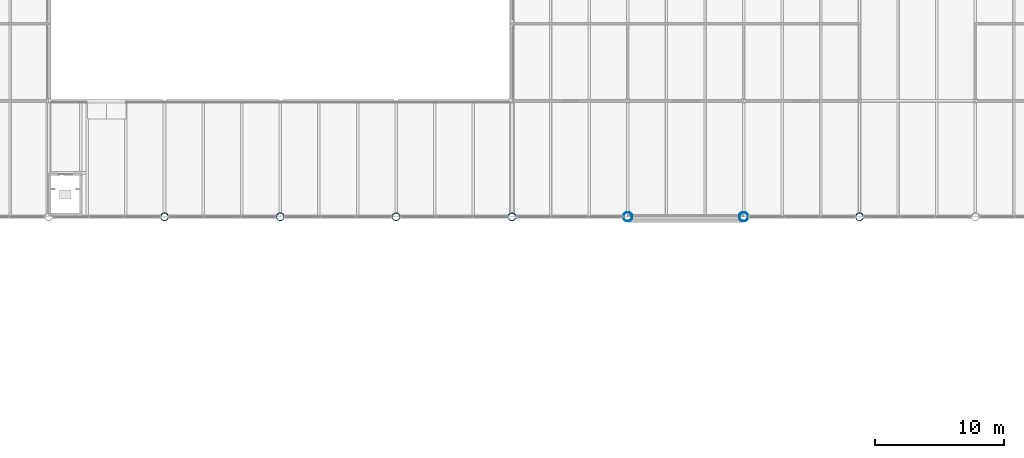
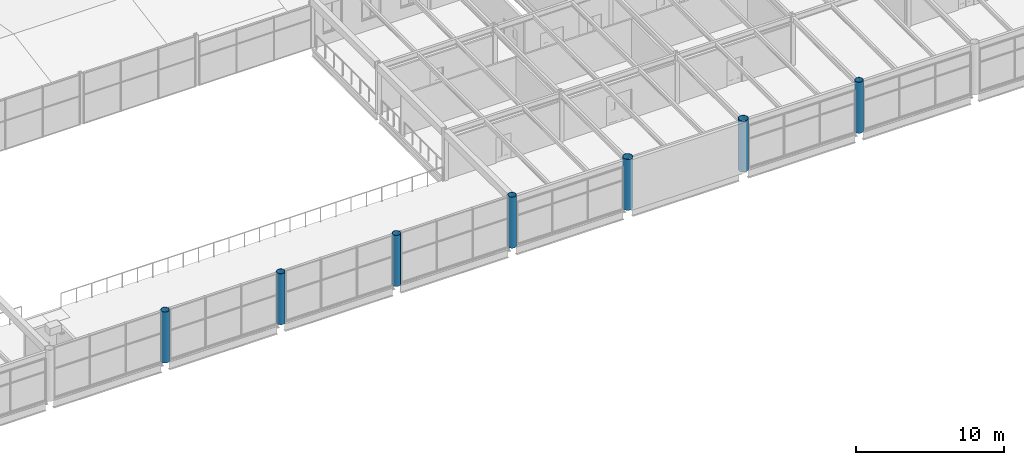
# One storey, part 15 of 123: 7 columns.
"""IFC4 building model written with IfcOpenShell, lengths in metres."""

from ifc_helpers import new_model, si_unit, direction, frame, origin, origin_2d, place, context, subcontext, project, spatial, hollow_circle, extrude, material, material_profile, profile_set, type_object, element, save


model = new_model("IFC4")

# Units and contexts
model_context = context("Model", 3, precision=1e-05, world=origin(), true_north=direction((0.0, 1.0)))
body_context = subcontext(model_context, "Body", "Model", "MODEL_VIEW")
ifc_project = project(units=[si_unit("LENGTHUNIT", "METRE"), si_unit("AREAUNIT", "SQUARE_METRE"), si_unit("VOLUMEUNIT", "CUBIC_METRE"), si_unit("PLANEANGLEUNIT", "RADIAN"), si_unit("MASSUNIT", "GRAM", prefix="KILO")], contexts=[model_context])

# Site, building, storey
site_placement = place(None, origin())
site = spatial("IfcSite", under=ifc_project, at=site_placement, CompositionType="ELEMENT")
building_placement = place(site_placement, origin())
building = spatial("IfcBuilding", under=site, at=building_placement, Name="Baradari Gate Terminus", CompositionType="ELEMENT")
storey_placement = place(building_placement, frame((0.0, 0.0, 7.5)))
storey = spatial("IfcBuildingStorey", under=building, at=storey_placement, Name="L01", CompositionType="ELEMENT", Elevation=7.5)

# Columns
ifc_material_1 = material(Name="Steel S355", Category="steel")
ifc_material_profile_1 = material_profile(ifc_material_1, hollow_circle(Radius=0.35546875, WallThickness=0.02490234375, at=origin_2d()), Name="CHS 711x25")
ifc_profile_set_1 = profile_set([ifc_material_profile_1], Name="Steel S355")
column_type_1 = type_object("IfcColumnType", Name="Braced north shed column C10 CHS 711x25", PredefinedType="COLUMN", material=ifc_profile_set_1)
for number, where, z_axis, x_axis, name in (
    (1, (180.0, 81.0, 0.0), (0.0, 0.0, 1.0), (1.0, 0.0, 0.0), "C10 column 21-K L01"),
    (2, (189.0, 81.0, 0.0), (0.0, 0.0, 1.0), (1.0, 0.0, 0.0), "C10 column 22-K L01"),
):
    element("IfcColumn", number, at=place(storey_placement, frame(where, z_axis=z_axis, x_axis=x_axis)), inside=storey, type_object=column_type_1, Name=name, PredefinedType="COLUMN", context=body_context, shape_type="SweptSolid", body=[
        extrude(hollow_circle(Radius=0.35546875, WallThickness=0.02490234375, at=origin_2d()), origin(), (0.0, 0.0, 1.0), 4.199951171875),
    ])
ifc_material_2 = material(Name="Steel S355", Category="steel")
ifc_material_profile_2 = material_profile(ifc_material_2, hollow_circle(Radius=0.304931640625, WallThickness=0.02490234375, at=origin_2d()), Name="CHS 610x25")
ifc_profile_set_2 = profile_set([ifc_material_profile_2], Name="Steel S355")
column_type_2 = type_object("IfcColumnType", Name="North shed column C12 CHS 610x25", PredefinedType="COLUMN", material=ifc_profile_set_2)
for number, where, z_axis, x_axis, name in (
    (3, (144.0, 81.0, 0.0), (0.0, 0.0, 1.0), (1.0, 0.0, 0.0), "C12 column 17-K L01"),
    (4, (153.0, 81.0, 0.0), (0.0, 0.0, 1.0), (1.0, 0.0, 0.0), "C12 column 18-K L01"),
    (5, (162.0, 81.0, 0.0), (0.0, 0.0, 1.0), (1.0, 0.0, 0.0), "C12 column 19-K L01"),
    (6, (171.0, 81.0, 0.0), (0.0, 0.0, 1.0), (1.0, 0.0, 0.0), "C12 column 20-K L01"),
    (7, (198.0, 81.0, 0.0), (0.0, 0.0, 1.0), (1.0, 0.0, 0.0), "C12 column 23-K L01"),
):
    element("IfcColumn", number, at=place(storey_placement, frame(where, z_axis=z_axis, x_axis=x_axis)), inside=storey, type_object=column_type_2, Name=name, PredefinedType="COLUMN", context=body_context, shape_type="SweptSolid", body=[
        extrude(hollow_circle(Radius=0.304931640625, WallThickness=0.02490234375, at=origin_2d()), origin(), (0.0, 0.0, 1.0), 4.199951171875),
    ])

save(model, "model.ifc")
